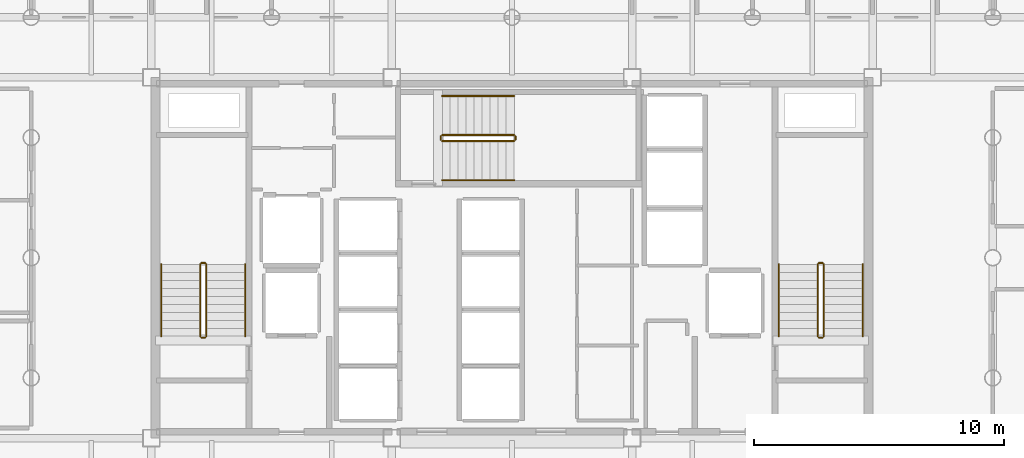
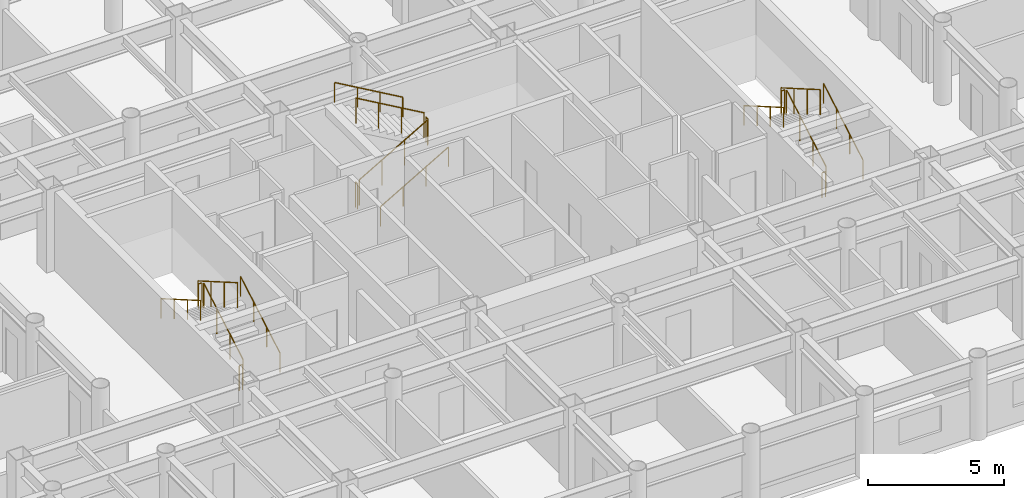
# One storey, part 22 of 22: 18 railings.
"""IFC4 building model written with IfcOpenShell, lengths in metres."""

from ifc_helpers import new_model, si_unit, direction, frame, origin, origin_2d, place, context, subcontext, project, spatial, circle, extrude, material, layer, layer_set, type_object, element, save


model = new_model("IFC4")

# Units and contexts
model_context = context("Model", 3, precision=1e-05, world=origin(), true_north=direction((0.0, 1.0)))
body_context = subcontext(model_context, "Body", "Model", "MODEL_VIEW")
ifc_project = project(units=[si_unit("LENGTHUNIT", "METRE"), si_unit("AREAUNIT", "SQUARE_METRE"), si_unit("VOLUMEUNIT", "CUBIC_METRE"), si_unit("PLANEANGLEUNIT", "RADIAN"), si_unit("MASSUNIT", "GRAM", prefix="KILO")], contexts=[model_context])

# Site, building, storey
site_placement = place(None, origin())
site = spatial("IfcSite", under=ifc_project, at=site_placement, CompositionType="ELEMENT")
building_placement = place(site_placement, origin())
building = spatial("IfcBuilding", under=site, at=building_placement, Name="Kallvorn Hotel Tower", CompositionType="ELEMENT")
storey_placement = place(building_placement, frame((0.0, 0.0, 117.39990234375)))
storey = spatial("IfcBuildingStorey", under=building, at=storey_placement, Name="L28", CompositionType="ELEMENT", Elevation=117.39990234375)

# Railings
ifc_material_1 = material(Name="Brushed stainless-steel tubular railing", Category="steel")
ifc_layer_1 = layer(ifc_material_1, 0.050048828125)
ifc_layer_set_1 = layer_set([ifc_layer_1], Name="RL_STAIR_GUARD")
railing_type_1 = type_object("IfcRailingType", Name="RL_STAIR_GUARD", PredefinedType="GUARDRAIL", material=ifc_layer_set_1)
railing_1_placement = place(storey_placement, frame((-12.2099609375, -3.139892578125, 0.18505859375)))
element("IfcRailing", 1, at=railing_1_placement, inside=storey, type_object=railing_type_1, Name="L28 ST1 stair guard 1", PredefinedType="GUARDRAIL", context=body_context, shape_type="SweptSolid", body=[
    extrude(circle(Radius=0.02392578125, at=origin_2d()), frame((0.0, 0.0, 1.1259765625), z_axis=(0.0, 0.865720918037, 0.500527014328), x_axis=(-1.0, 0.0, 0.0)), (0.0, 0.0, 1.0), 3.32666015625),
    extrude(circle(Radius=0.02099609375, at=origin_2d()), origin(), (0.0, 0.0, 1.0), 1.101806640625),
    extrude(circle(Radius=0.02099609375, at=origin_2d()), frame((0.0, 0.9599609375, 0.554931640625)), (0.0, 0.0, 1.0), 1.101806640625),
    extrude(circle(Radius=0.02099609375, at=origin_2d()), frame((0.0, 1.919921875, 1.110107421875)), (0.0, 0.0, 1.0), 1.101806640625),
    extrude(circle(Radius=0.02099609375, at=origin_2d()), frame((0.0, 2.8798828125, 1.6650390625)), (0.0, 0.0, 1.0), 1.101806640625),
])
railing_2_placement = place(storey_placement, frame((-12.260009765625, -0.2099609375, 1.85009765625)))
element("IfcRailing", 2, at=railing_2_placement, inside=storey, type_object=railing_type_1, Name="L28 ST1 stair guard 2", PredefinedType="GUARDRAIL", context=body_context, shape_type="SweptSolid", body=[
    extrude(circle(Radius=0.02392578125, at=origin_2d()), frame((0.0, 0.0, 1.1259765625), z_axis=(-1.0, 0.0, 0.0), x_axis=(0.0, -1.0, 0.0)), (0.0, 0.0, 1.0), 0.139892578125),
    extrude(circle(Radius=0.02099609375, at=origin_2d()), origin(), (0.0, 0.0, 1.0), 1.101806640625),
    extrude(circle(Radius=0.02099609375, at=origin_2d()), frame((-0.139892578125, 0.0, 0.0)), (0.0, 0.0, 1.0), 1.101806640625),
])
railing_3_placement = place(storey_placement, frame((-12.449951171875, -0.260009765625, 2.03515625)))
element("IfcRailing", 3, at=railing_3_placement, inside=storey, type_object=railing_type_1, Name="L28 ST1 stair guard 3", PredefinedType="GUARDRAIL", context=body_context, shape_type="SweptSolid", body=[
    extrude(circle(Radius=0.02392578125, at=origin_2d()), frame((0.0, 0.0, 1.1259765625), z_axis=(0.0, -0.865720918037, 0.500527014328), x_axis=(1.0, 0.0, 0.0)), (0.0, 0.0, 1.0), 3.32666015625),
    extrude(circle(Radius=0.02099609375, at=origin_2d()), origin(), (0.0, 0.0, 1.0), 1.101806640625),
    extrude(circle(Radius=0.02099609375, at=origin_2d()), frame((0.0, -0.9599609375, 0.554931640625)), (0.0, 0.0, 1.0), 1.101806640625),
    extrude(circle(Radius=0.02099609375, at=origin_2d()), frame((0.0, -1.919921875, 1.110107421875)), (0.0, 0.0, 1.0), 1.101806640625),
    extrude(circle(Radius=0.02099609375, at=origin_2d()), frame((0.0, -2.8798828125, 1.6650390625)), (0.0, 0.0, 1.0), 1.101806640625),
])
railing_4_placement = place(storey_placement, frame((-12.260009765625, -3.18994140625, 0.0)))
element("IfcRailing", 4, at=railing_4_placement, inside=storey, type_object=railing_type_1, Name="L28 ST1 stair guard 4", PredefinedType="GUARDRAIL", context=body_context, shape_type="SweptSolid", body=[
    extrude(circle(Radius=0.02392578125, at=origin_2d()), frame((0.0, 0.0, 1.1259765625), z_axis=(-1.0, 0.0, 0.0), x_axis=(0.0, -1.0, 0.0)), (0.0, 0.0, 1.0), 0.139892578125),
    extrude(circle(Radius=0.02099609375, at=origin_2d()), origin(), (0.0, 0.0, 1.0), 1.101806640625),
    extrude(circle(Radius=0.02099609375, at=origin_2d()), frame((-0.139892578125, 0.0, 0.0)), (0.0, 0.0, 1.0), 1.101806640625),
])
railing_5_placement = place(storey_placement, frame((12.449951171875, -3.139892578125, 0.18505859375)))
element("IfcRailing", 5, at=railing_5_placement, inside=storey, type_object=railing_type_1, Name="L28 ST2 stair guard 1", PredefinedType="GUARDRAIL", context=body_context, shape_type="SweptSolid", body=[
    extrude(circle(Radius=0.02392578125, at=origin_2d()), frame((0.0, 0.0, 1.1259765625), z_axis=(0.0, 0.865720918037, 0.500527014328), x_axis=(-1.0, 0.0, 0.0)), (0.0, 0.0, 1.0), 3.32666015625),
    extrude(circle(Radius=0.02099609375, at=origin_2d()), origin(), (0.0, 0.0, 1.0), 1.101806640625),
    extrude(circle(Radius=0.02099609375, at=origin_2d()), frame((0.0, 0.9599609375, 0.554931640625)), (0.0, 0.0, 1.0), 1.101806640625),
    extrude(circle(Radius=0.02099609375, at=origin_2d()), frame((0.0, 1.919921875, 1.110107421875)), (0.0, 0.0, 1.0), 1.101806640625),
    extrude(circle(Radius=0.02099609375, at=origin_2d()), frame((0.0, 2.8798828125, 1.6650390625)), (0.0, 0.0, 1.0), 1.101806640625),
])
railing_6_placement = place(storey_placement, frame((12.39990234375, -0.2099609375, 1.85009765625)))
element("IfcRailing", 6, at=railing_6_placement, inside=storey, type_object=railing_type_1, Name="L28 ST2 stair guard 2", PredefinedType="GUARDRAIL", context=body_context, shape_type="SweptSolid", body=[
    extrude(circle(Radius=0.02392578125, at=origin_2d()), frame((0.0, 0.0, 1.1259765625), z_axis=(-1.0, 0.0, 0.0), x_axis=(0.0, -1.0, 0.0)), (0.0, 0.0, 1.0), 0.139892578125),
    extrude(circle(Radius=0.02099609375, at=origin_2d()), origin(), (0.0, 0.0, 1.0), 1.101806640625),
    extrude(circle(Radius=0.02099609375, at=origin_2d()), frame((-0.139892578125, 0.0, 0.0)), (0.0, 0.0, 1.0), 1.101806640625),
])
railing_7_placement = place(storey_placement, frame((12.2099609375, -0.260009765625, 2.03515625)))
element("IfcRailing", 7, at=railing_7_placement, inside=storey, type_object=railing_type_1, Name="L28 ST2 stair guard 3", PredefinedType="GUARDRAIL", context=body_context, shape_type="SweptSolid", body=[
    extrude(circle(Radius=0.02392578125, at=origin_2d()), frame((0.0, 0.0, 1.1259765625), z_axis=(0.0, -0.865720918037, 0.500527014328), x_axis=(1.0, 0.0, 0.0)), (0.0, 0.0, 1.0), 3.32666015625),
    extrude(circle(Radius=0.02099609375, at=origin_2d()), origin(), (0.0, 0.0, 1.0), 1.101806640625),
    extrude(circle(Radius=0.02099609375, at=origin_2d()), frame((0.0, -0.9599609375, 0.554931640625)), (0.0, 0.0, 1.0), 1.101806640625),
    extrude(circle(Radius=0.02099609375, at=origin_2d()), frame((0.0, -1.919921875, 1.110107421875)), (0.0, 0.0, 1.0), 1.101806640625),
    extrude(circle(Radius=0.02099609375, at=origin_2d()), frame((0.0, -2.8798828125, 1.6650390625)), (0.0, 0.0, 1.0), 1.101806640625),
])
railing_8_placement = place(storey_placement, frame((12.39990234375, -3.18994140625, 0.0)))
element("IfcRailing", 8, at=railing_8_placement, inside=storey, type_object=railing_type_1, Name="L28 ST2 stair guard 4", PredefinedType="GUARDRAIL", context=body_context, shape_type="SweptSolid", body=[
    extrude(circle(Radius=0.02392578125, at=origin_2d()), frame((0.0, 0.0, 1.1259765625), z_axis=(-1.0, 0.0, 0.0), x_axis=(0.0, -1.0, 0.0)), (0.0, 0.0, 1.0), 0.139892578125),
    extrude(circle(Radius=0.02099609375, at=origin_2d()), origin(), (0.0, 0.0, 1.0), 1.101806640625),
    extrude(circle(Radius=0.02099609375, at=origin_2d()), frame((-0.139892578125, 0.0, 0.0)), (0.0, 0.0, 1.0), 1.101806640625),
])
railing_9_placement = place(storey_placement, frame((-2.7900390625, 4.659912109375, 0.18505859375)))
element("IfcRailing", 9, at=railing_9_placement, inside=storey, type_object=railing_type_1, Name="L28 ST3 stair guard 1", PredefinedType="GUARDRAIL", context=body_context, shape_type="SweptSolid", body=[
    extrude(circle(Radius=0.02392578125, at=origin_2d()), frame((0.0, 0.0, 1.1259765625), z_axis=(0.865739302748, 0.0, 0.50049521444), x_axis=(0.0, 1.0, 0.0)), (0.0, 0.0, 1.0), 3.326904296875),
    extrude(circle(Radius=0.02099609375, at=origin_2d()), origin(), (0.0, 0.0, 1.0), 1.101806640625),
    extrude(circle(Radius=0.02099609375, at=origin_2d()), frame((0.9599609375, 0.0, 0.554931640625)), (0.0, 0.0, 1.0), 1.101806640625),
    extrude(circle(Radius=0.02099609375, at=origin_2d()), frame((1.920166015625, 0.0, 1.110107421875)), (0.0, 0.0, 1.0), 1.101806640625),
    extrude(circle(Radius=0.02099609375, at=origin_2d()), frame((2.880126953125, 0.0, 1.6650390625)), (0.0, 0.0, 1.0), 1.101806640625),
])
railing_10_placement = place(storey_placement, frame((0.139892578125, 4.7099609375, 1.85009765625)))
element("IfcRailing", 10, at=railing_10_placement, inside=storey, type_object=railing_type_1, Name="L28 ST3 stair guard 2", PredefinedType="GUARDRAIL", context=body_context, shape_type="SweptSolid", body=[
    extrude(circle(Radius=0.02392578125, at=origin_2d()), frame((0.0, 0.0, 1.1259765625), z_axis=(0.0, 1.0, 0.0), x_axis=(-1.0, 0.0, 0.0)), (0.0, 0.0, 1.0), 0.14013671875),
    extrude(circle(Radius=0.02099609375, at=origin_2d()), origin(), (0.0, 0.0, 1.0), 1.101806640625),
    extrude(circle(Radius=0.02099609375, at=origin_2d()), frame((0.0, 0.14013671875, 0.0)), (0.0, 0.0, 1.0), 1.101806640625),
])
railing_11_placement = place(storey_placement, frame((0.090087890625, 4.89990234375, 2.03515625)))
element("IfcRailing", 11, at=railing_11_placement, inside=storey, type_object=railing_type_1, Name="L28 ST3 stair guard 3", PredefinedType="GUARDRAIL", context=body_context, shape_type="SweptSolid", body=[
    extrude(circle(Radius=0.02392578125, at=origin_2d()), frame((0.0, 0.0, 1.1259765625), z_axis=(-0.865739302748, 0.0, 0.50049521444), x_axis=(0.0, -1.0, 0.0)), (0.0, 0.0, 1.0), 3.326904296875),
    extrude(circle(Radius=0.02099609375, at=origin_2d()), origin(), (0.0, 0.0, 1.0), 1.101806640625),
    extrude(circle(Radius=0.02099609375, at=origin_2d()), frame((-0.9599609375, 0.0, 0.554931640625)), (0.0, 0.0, 1.0), 1.101806640625),
    extrude(circle(Radius=0.02099609375, at=origin_2d()), frame((-1.920166015625, 0.0, 1.110107421875)), (0.0, 0.0, 1.0), 1.101806640625),
    extrude(circle(Radius=0.02099609375, at=origin_2d()), frame((-2.880126953125, 0.0, 1.6650390625)), (0.0, 0.0, 1.0), 1.101806640625),
])
railing_12_placement = place(storey_placement, frame((-2.840087890625, 4.7099609375, 0.0)))
element("IfcRailing", 12, at=railing_12_placement, inside=storey, type_object=railing_type_1, Name="L28 ST3 stair guard 4", PredefinedType="GUARDRAIL", context=body_context, shape_type="SweptSolid", body=[
    extrude(circle(Radius=0.02392578125, at=origin_2d()), frame((0.0, 0.0, 1.1259765625), z_axis=(0.0, 1.0, 0.0), x_axis=(-1.0, 0.0, 0.0)), (0.0, 0.0, 1.0), 0.14013671875),
    extrude(circle(Radius=0.02099609375, at=origin_2d()), origin(), (0.0, 0.0, 1.0), 1.101806640625),
    extrude(circle(Radius=0.02099609375, at=origin_2d()), frame((0.0, 0.14013671875, 0.0)), (0.0, 0.0, 1.0), 1.101806640625),
])
ifc_material_2 = material(Name="Brushed stainless-steel tubular railing", Category="steel")
ifc_layer_2 = layer(ifc_material_2, 0.050048828125)
ifc_layer_set_2 = layer_set([ifc_layer_2], Name="RL_STAIR_HAND")
railing_type_2 = type_object("IfcRailingType", Name="RL_STAIR_HAND", PredefinedType="HANDRAIL", material=ifc_layer_set_2)
railing_13_placement = place(storey_placement, frame((-10.64990234375, -3.139892578125, 0.18505859375)))
element("IfcRailing", 13, at=railing_13_placement, inside=storey, type_object=railing_type_2, Name="L28 ST1 stair handrail 1", PredefinedType="HANDRAIL", context=body_context, shape_type="SweptSolid", body=[
    extrude(circle(Radius=0.02392578125, at=origin_2d()), frame((0.0, 0.0, 0.8759765625), z_axis=(0.0, 0.865720918037, 0.500527014328), x_axis=(-1.0, 0.0, 0.0)), (0.0, 0.0, 1.0), 3.32666015625),
    extrude(circle(Radius=0.02099609375, at=origin_2d()), origin(), (0.0, 0.0, 1.0), 0.851806640625),
    extrude(circle(Radius=0.02099609375, at=origin_2d()), frame((0.0, 0.9599609375, 0.554931640625)), (0.0, 0.0, 1.0), 0.851806640625),
    extrude(circle(Radius=0.02099609375, at=origin_2d()), frame((0.0, 1.919921875, 1.110107421875)), (0.0, 0.0, 1.0), 0.851806640625),
    extrude(circle(Radius=0.02099609375, at=origin_2d()), frame((0.0, 2.8798828125, 1.6650390625)), (0.0, 0.0, 1.0), 0.851806640625),
])
railing_14_placement = place(storey_placement, frame((-14.010009765625, -0.260009765625, 2.03515625)))
element("IfcRailing", 14, at=railing_14_placement, inside=storey, type_object=railing_type_2, Name="L28 ST1 stair handrail 2", PredefinedType="HANDRAIL", context=body_context, shape_type="SweptSolid", body=[
    extrude(circle(Radius=0.02392578125, at=origin_2d()), frame((0.0, 0.0, 0.8759765625), z_axis=(0.0, -0.865720918037, 0.500527014328), x_axis=(1.0, 0.0, 0.0)), (0.0, 0.0, 1.0), 3.32666015625),
    extrude(circle(Radius=0.02099609375, at=origin_2d()), origin(), (0.0, 0.0, 1.0), 0.851806640625),
    extrude(circle(Radius=0.02099609375, at=origin_2d()), frame((0.0, -0.9599609375, 0.554931640625)), (0.0, 0.0, 1.0), 0.851806640625),
    extrude(circle(Radius=0.02099609375, at=origin_2d()), frame((0.0, -1.919921875, 1.110107421875)), (0.0, 0.0, 1.0), 0.851806640625),
    extrude(circle(Radius=0.02099609375, at=origin_2d()), frame((0.0, -2.8798828125, 1.6650390625)), (0.0, 0.0, 1.0), 0.851806640625),
])
railing_15_placement = place(storey_placement, frame((14.010009765625, -3.139892578125, 0.18505859375)))
element("IfcRailing", 15, at=railing_15_placement, inside=storey, type_object=railing_type_2, Name="L28 ST2 stair handrail 1", PredefinedType="HANDRAIL", context=body_context, shape_type="SweptSolid", body=[
    extrude(circle(Radius=0.02392578125, at=origin_2d()), frame((0.0, 0.0, 0.8759765625), z_axis=(0.0, 0.865720918037, 0.500527014328), x_axis=(-1.0, 0.0, 0.0)), (0.0, 0.0, 1.0), 3.32666015625),
    extrude(circle(Radius=0.02099609375, at=origin_2d()), origin(), (0.0, 0.0, 1.0), 0.851806640625),
    extrude(circle(Radius=0.02099609375, at=origin_2d()), frame((0.0, 0.9599609375, 0.554931640625)), (0.0, 0.0, 1.0), 0.851806640625),
    extrude(circle(Radius=0.02099609375, at=origin_2d()), frame((0.0, 1.919921875, 1.110107421875)), (0.0, 0.0, 1.0), 0.851806640625),
    extrude(circle(Radius=0.02099609375, at=origin_2d()), frame((0.0, 2.8798828125, 1.6650390625)), (0.0, 0.0, 1.0), 0.851806640625),
])
railing_16_placement = place(storey_placement, frame((10.64990234375, -0.260009765625, 2.03515625)))
element("IfcRailing", 16, at=railing_16_placement, inside=storey, type_object=railing_type_2, Name="L28 ST2 stair handrail 2", PredefinedType="HANDRAIL", context=body_context, shape_type="SweptSolid", body=[
    extrude(circle(Radius=0.02392578125, at=origin_2d()), frame((0.0, 0.0, 0.8759765625), z_axis=(0.0, -0.865720918037, 0.500527014328), x_axis=(1.0, 0.0, 0.0)), (0.0, 0.0, 1.0), 3.32666015625),
    extrude(circle(Radius=0.02099609375, at=origin_2d()), origin(), (0.0, 0.0, 1.0), 0.851806640625),
    extrude(circle(Radius=0.02099609375, at=origin_2d()), frame((0.0, -0.9599609375, 0.554931640625)), (0.0, 0.0, 1.0), 0.851806640625),
    extrude(circle(Radius=0.02099609375, at=origin_2d()), frame((0.0, -1.919921875, 1.110107421875)), (0.0, 0.0, 1.0), 0.851806640625),
    extrude(circle(Radius=0.02099609375, at=origin_2d()), frame((0.0, -2.8798828125, 1.6650390625)), (0.0, 0.0, 1.0), 0.851806640625),
])
railing_17_placement = place(storey_placement, frame((-2.7900390625, 3.10009765625, 0.18505859375)))
element("IfcRailing", 17, at=railing_17_placement, inside=storey, type_object=railing_type_2, Name="L28 ST3 stair handrail 1", PredefinedType="HANDRAIL", context=body_context, shape_type="SweptSolid", body=[
    extrude(circle(Radius=0.02392578125, at=origin_2d()), frame((0.0, 0.0, 0.8759765625), z_axis=(0.865739302748, 0.0, 0.50049521444), x_axis=(0.0, 1.0, 0.0)), (0.0, 0.0, 1.0), 3.326904296875),
    extrude(circle(Radius=0.02099609375, at=origin_2d()), origin(), (0.0, 0.0, 1.0), 0.851806640625),
    extrude(circle(Radius=0.02099609375, at=origin_2d()), frame((0.9599609375, 0.0, 0.554931640625)), (0.0, 0.0, 1.0), 0.851806640625),
    extrude(circle(Radius=0.02099609375, at=origin_2d()), frame((1.920166015625, 0.0, 1.110107421875)), (0.0, 0.0, 1.0), 0.851806640625),
    extrude(circle(Radius=0.02099609375, at=origin_2d()), frame((2.880126953125, 0.0, 1.6650390625)), (0.0, 0.0, 1.0), 0.851806640625),
])
railing_18_placement = place(storey_placement, frame((0.090087890625, 6.4599609375, 2.03515625)))
element("IfcRailing", 18, at=railing_18_placement, inside=storey, type_object=railing_type_2, Name="L28 ST3 stair handrail 2", PredefinedType="HANDRAIL", context=body_context, shape_type="SweptSolid", body=[
    extrude(circle(Radius=0.02392578125, at=origin_2d()), frame((0.0, 0.0, 0.8759765625), z_axis=(-0.865739302748, 0.0, 0.50049521444), x_axis=(0.0, -1.0, 0.0)), (0.0, 0.0, 1.0), 3.326904296875),
    extrude(circle(Radius=0.02099609375, at=origin_2d()), origin(), (0.0, 0.0, 1.0), 0.851806640625),
    extrude(circle(Radius=0.02099609375, at=origin_2d()), frame((-0.9599609375, 0.0, 0.554931640625)), (0.0, 0.0, 1.0), 0.851806640625),
    extrude(circle(Radius=0.02099609375, at=origin_2d()), frame((-1.920166015625, 0.0, 1.110107421875)), (0.0, 0.0, 1.0), 0.851806640625),
    extrude(circle(Radius=0.02099609375, at=origin_2d()), frame((-2.880126953125, 0.0, 1.6650390625)), (0.0, 0.0, 1.0), 0.851806640625),
])

save(model, "model.ifc")
